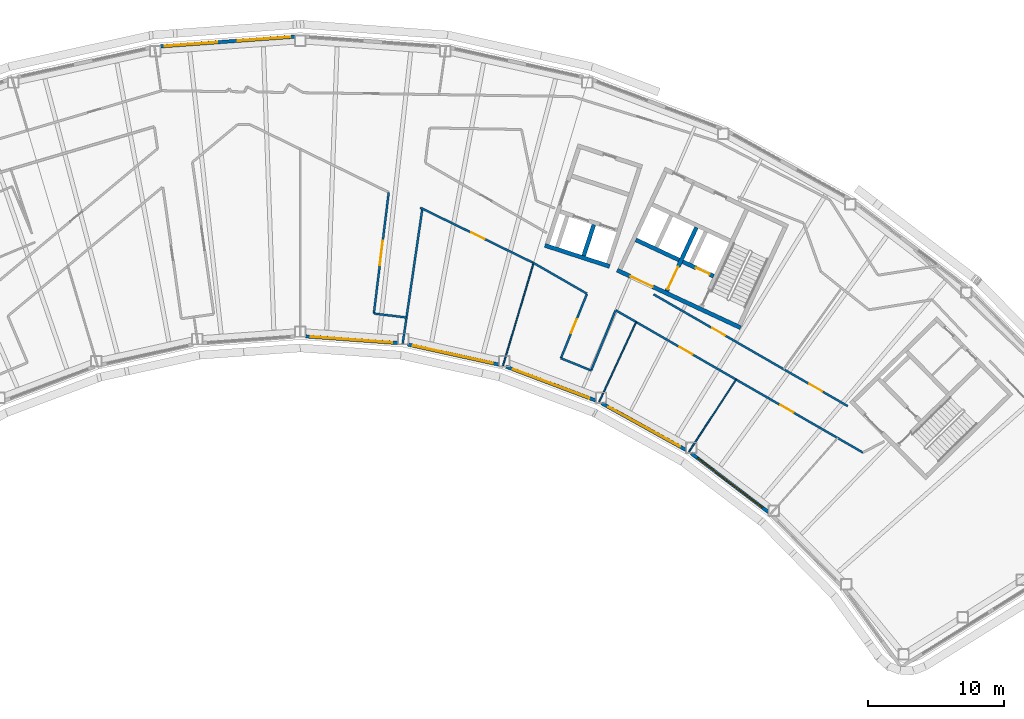
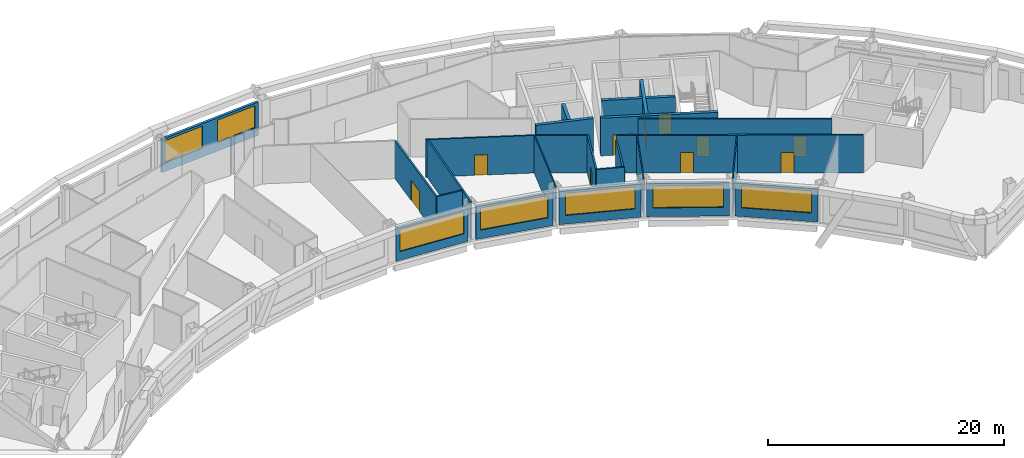
# One storey, part 8 of 14: 25 walls, 10 doors, 7 windows, 17 openings.
"""IFC4 building model written with IfcOpenShell, lengths in metres."""

import ifcopenshell
import ifcopenshell.guid

model = None  # the IFC model being written
_history = None  # IfcOwnerHistory: only IFC2X3 demands one
_inside = {}  # id of a spatial element -> (the spatial element, [elements in it])
_under = {}  # id of a project, library or spatial element -> (it, [spatial elements below it])
_declared = {}  # id of a project -> (the project, [libraries it declares])
_typed = {}  # id of a type object -> (the type object, [elements of that type])
_made_of = {}  # id of a material, layer set ... -> (it, [elements and type objects made of it])


def new_model(schema):
    """Start an empty IFC model of exactly this schema.

    Asked for "IFC4X3", IfcOpenShell would pick the latest addendum, in which some entities
    have other attributes; the version numbers below select the first issue.
    IFC2X3 requires an IfcOwnerHistory on every rooted entity: one is made here for all.
    """
    global model, _history
    if schema == "IFC4X3":
        model = ifcopenshell.file(schema_version=(4, 3, 0, 0))
    else:
        model = ifcopenshell.file(schema=schema)
    _inside.clear()
    _under.clear()
    _declared.clear()
    _typed.clear()
    _made_of.clear()
    _history = None
    if model.schema == "IFC2X3":
        org = make("IfcOrganization", Name="unknown")
        user = make(
            "IfcPersonAndOrganization",
            ThePerson=make("IfcPerson", FamilyName="unknown"),
            TheOrganization=org,
        )
        app = make(
            "IfcApplication",
            ApplicationDeveloper=org,
            Version="unknown",
            ApplicationFullName="unknown",
            ApplicationIdentifier="unknown",
        )
        _history = make(
            "IfcOwnerHistory",
            OwningUser=user,
            OwningApplication=app,
            ChangeAction="ADDED",
            CreationDate=0,
        )
    return model


def make(cls, **values):
    """One entity of the class cls with the attributes given. An attribute that is None is left unset."""
    return model.create_entity(
        cls, **{name: value for name, value in values.items() if value is not None}
    )


def rooted(cls, **values):
    """An entity with a GlobalId (a new one), such as an element, a storey or a relation."""
    return make(cls, GlobalId=ifcopenshell.guid.new(), OwnerHistory=_history, **values)


def si_unit(unit_type, name, prefix=None):
    """IfcSIUnit, for example si_unit("LENGTHUNIT", "METRE", prefix="MILLI")."""
    return make("IfcSIUnit", UnitType=unit_type, Prefix=prefix, Name=name)


def assignment(units):
    """IfcUnitAssignment: the units of a project."""
    return None if units is None else make("IfcUnitAssignment", Units=units)


def point(xyz):
    """IfcCartesianPoint."""
    return None if xyz is None else make("IfcCartesianPoint", Coordinates=xyz)


def direction(xyz):
    """IfcDirection."""
    return None if xyz is None else make("IfcDirection", DirectionRatios=xyz)


def frame(location, z_axis=None, x_axis=None):
    """IfcAxis2Placement3D, a coordinate frame: its origin and axes. An axis left out is left unset."""
    return make(
        "IfcAxis2Placement3D",
        Location=point(location),
        Axis=direction(z_axis),
        RefDirection=direction(x_axis),
    )


def frame_2d(location, x_axis=None):
    """IfcAxis2Placement2D, a coordinate frame in the plane: its origin and x axis."""
    return make(
        "IfcAxis2Placement2D", Location=point(location), RefDirection=direction(x_axis)
    )


def origin():
    """The frame at (0, 0, 0) with its axes left unset."""
    return frame((0.0, 0.0, 0.0))


def place(relative_to, where):
    """IfcLocalPlacement: puts the frame where relative to a parent placement (None: the world)."""
    return make(
        "IfcLocalPlacement", PlacementRelTo=relative_to, RelativePlacement=where
    )


def context(
    kind, dimensions, precision=None, world=None, true_north=None, identifier=None
):
    """IfcGeometricRepresentationContext, for example the 3D "Model" context."""
    return make(
        "IfcGeometricRepresentationContext",
        ContextIdentifier=identifier,
        ContextType=kind,
        CoordinateSpaceDimension=dimensions,
        Precision=precision,
        WorldCoordinateSystem=world,
        TrueNorth=true_north,
    )


def subcontext(parent, identifier, kind, view, scale=None):
    """IfcGeometricRepresentationSubContext, for example "Body" below "Model"."""
    return make(
        "IfcGeometricRepresentationSubContext",
        ContextIdentifier=identifier,
        ContextType=kind,
        ParentContext=parent,
        TargetScale=scale,
        TargetView=view,
    )


def project(units=None, contexts=None):
    """IfcProject with its units and contexts."""
    return rooted(
        "IfcProject",
        Name="project",
        RepresentationContexts=contexts,
        UnitsInContext=assignment(units),
    )


def spatial(cls, under=None, at=None, **own):
    """A site, building, storey or space (cls), placed at a placement, below another one or the project."""
    s = rooted(cls, ObjectPlacement=at, **own)
    if under is not None:
        _under.setdefault(under.id(), (under, []))[1].append(s)
    return s


def profile(cls, at=None, kind="AREA", **sizes):
    """A parametric profile (cls). Its sizes go by their IFC names, for example OverallWidth=200.0."""
    return make(cls, ProfileType=kind, Position=at, **sizes)


def rectangle(**sizes):
    """IfcRectangleProfileDef."""
    return profile("IfcRectangleProfileDef", **sizes)


def extrude(swept, where, along, depth):
    """IfcExtrudedAreaSolid: the profile swept, set in the frame where, extruded along a direction by depth."""
    return make(
        "IfcExtrudedAreaSolid",
        SweptArea=swept,
        Position=where,
        ExtrudedDirection=direction(along),
        Depth=depth,
    )


def shape(context_of_items, identifier, shape_type, items):
    """IfcShapeRepresentation: the items that make up one representation, for example the "Body"."""
    return make(
        "IfcShapeRepresentation",
        ContextOfItems=context_of_items,
        RepresentationIdentifier=identifier,
        RepresentationType=shape_type,
        Items=items,
    )


def material(Name=None, Category=None):
    """IfcMaterial."""
    return make("IfcMaterial", Name=Name, Category=Category)


def layer(
    of_material, thickness, ventilated=None, Name=None, Category=None, Priority=None
):
    """IfcMaterialLayer: one layer of a wall or slab, of a material (None: an air gap)."""
    return make(
        "IfcMaterialLayer",
        Material=of_material,
        LayerThickness=thickness,
        IsVentilated=ventilated,
        Name=Name,
        Category=Category,
        Priority=Priority,
    )


def layer_set(layers, Name=None):
    """IfcMaterialLayerSet."""
    return make("IfcMaterialLayerSet", MaterialLayers=layers, LayerSetName=Name)


def made_of(thing, what):
    """Note that an element or type object is made of a material, layer set ...; save() writes the relation."""
    if what is not None:
        _made_of.setdefault(what.id(), (what, []))[1].append(thing)
    return thing


def type_object(cls, material=None, **own):
    """A type object (cls), such as IfcWallType, which elements share."""
    return made_of(rooted(cls, **own), material)


def element(
    cls,
    number,
    at=None,
    inside=None,
    cuts=None,
    type_object=None,
    material=None,
    context=None,
    identifier="Body",
    shape_type=None,
    held_by="IfcProductDefinitionShape",
    body=None,
    shapes=None,
    **own,
):
    """One element of the class cls, such as IfcWall. Its Tag is "e" and its number.

    at: its placement. inside: the storey or other place that contains it. cuts: it is an
    opening in that element (IfcRelVoidsElement). A single representation is given by context,
    identifier, shape_type and body (its items); several are given by shapes. held_by: the class
    of the entity that holds the representations. save() writes the other relations.
    """
    e = rooted(cls, Tag="e%d" % number, ObjectPlacement=at, **own)
    if body is not None:
        shapes = [shape(context, identifier, shape_type, body)]
    if shapes is not None:
        e.Representation = make(held_by, Representations=shapes)
    if inside is not None:
        _inside.setdefault(inside.id(), (inside, []))[1].append(e)
    if cuts is not None:
        rooted(
            "IfcRelVoidsElement", RelatingBuildingElement=cuts, RelatedOpeningElement=e
        )
    if type_object is not None:
        _typed.setdefault(type_object.id(), (type_object, []))[1].append(e)
    return made_of(e, material)


def fill(opening, filler):
    """IfcRelFillsElement: the door or window that sits in an opening."""
    return rooted(
        "IfcRelFillsElement",
        RelatingOpeningElement=opening,
        RelatedBuildingElement=filler,
    )


def aggregate(whole, parts):
    """IfcRelAggregates: a whole, such as a stair, and the parts it consists of."""
    return rooted("IfcRelAggregates", RelatingObject=whole, RelatedObjects=parts)


def save(model, path):
    """Write the relations noted so far, then the file.

    IfcRelAggregates (storeys below a building ...), IfcRelContainedInSpatialStructure (elements
    in a storey), IfcRelDefinesByType, IfcRelAssociatesMaterial and IfcRelDeclares: one each for
    every whole, place, type object, material and project.
    """
    for whole, parts in _under.values():
        aggregate(whole, parts)
    for where, things in _inside.values():
        rooted(
            "IfcRelContainedInSpatialStructure",
            RelatedElements=things,
            RelatingStructure=where,
        )
    for kind, things in _typed.values():
        rooted("IfcRelDefinesByType", RelatedObjects=things, RelatingType=kind)
    for what, things in _made_of.values():
        rooted("IfcRelAssociatesMaterial", RelatedObjects=things, RelatingMaterial=what)
    for by, libraries in _declared.values():
        rooted("IfcRelDeclares", RelatingContext=by, RelatedDefinitions=libraries)
    model.write(path)


model = new_model("IFC4")

# Units and contexts
model_context = context("Model", 3, precision=1e-05, world=origin(), true_north=direction((0.0, 1.0)))
body_context = subcontext(model_context, "Body", "Model", "MODEL_VIEW")
ifc_project = project(units=[si_unit("LENGTHUNIT", "METRE"), si_unit("AREAUNIT", "SQUARE_METRE"), si_unit("VOLUMEUNIT", "CUBIC_METRE"), si_unit("PLANEANGLEUNIT", "RADIAN"), si_unit("MASSUNIT", "GRAM", prefix="KILO")], contexts=[model_context])

# Site, building, storey
site_placement = place(None, origin())
site = spatial("IfcSite", under=ifc_project, at=site_placement, CompositionType="ELEMENT")
building_placement = place(site_placement, origin())
building = spatial("IfcBuilding", under=site, at=building_placement, Name="Tuul Gate Civic Tower", CompositionType="ELEMENT")
storey_placement = place(building_placement, frame((0.0, 0.0, 323.89990234375)))
storey = spatial("IfcBuildingStorey", under=building, at=storey_placement, Name="Level 73", CompositionType="ELEMENT", Elevation=323.89990234375)

# Wall, opening, door
ifc_material_1 = material(Name="Concrete C50/60", Category="concrete")
ifc_layer_1 = layer(ifc_material_1, 0.300048828125)
ifc_layer_set_1 = layer_set([ifc_layer_1], Name="Concrete C50/60")
wall_type_1 = type_object("IfcWallType", Name="Core wall C50/60", PredefinedType="SHEAR", material=ifc_layer_set_1)
wall_1_placement = place(storey_placement, frame((34.5283203125, -7.25, 0.0), z_axis=(0.0, 0.0, 1.0), x_axis=(-0.906310338845, 0.422612789327, 0.0)))
wall_1 = element("IfcWall", 1, at=wall_1_placement, inside=storey, type_object=wall_type_1, Name="Core wall", PredefinedType="SHEAR", context=body_context, shape_type="SweptSolid", body=[
    extrude(rectangle(XDim=9.999755859375, YDim=0.300048828125, at=frame_2d((5.0, 0.0))), origin(), (0.0, 0.0, 1.0), 3.900146484375),
])
opening_1_placement = place(wall_1_placement, frame((7.125, 0.0, 0.0)))
opening_1 = element("IfcOpeningElement", 2, at=opening_1_placement, cuts=wall_1, Name="Opening LB-E3-LOBBY-1", PredefinedType="OPENING", context=body_context, shape_type="SweptSolid", body=[
    extrude(rectangle(XDim=1.800048828125, YDim=2.10009765625, at=frame_2d((0.89990234375, 1.050048828125))), frame((0.0, 0.16015625, 0.0), z_axis=(0.0, -1.0, 0.0), x_axis=(1.0, 0.0, 0.0)), (0.0, 0.0, 1.0), 0.320068359375),
])
ifc_material_2 = material(Name="Steel", Category="steel")
door_type_1 = type_object("IfcDoorType", Name="Lobby door", OperationType="DOUBLE_DOOR_SINGLE_SWING", PredefinedType="DOOR", material=ifc_material_2)
door_1_placement = place(opening_1_placement, frame((1.800048828125, 0.0, 0.0), z_axis=(0.0, 0.0, 1.0), x_axis=(-1.0, 0.0, 0.0)))
door_1 = element("IfcDoor", 3, at=door_1_placement, inside=storey, type_object=door_type_1, Name="Lobby door E3-LOBBY", OperationType="DOUBLE_DOOR_SINGLE_SWING", OverallHeight=2.10009765625, OverallWidth=1.800048828125, PredefinedType="DOOR", context=body_context, shape_type="SweptSolid", body=[
    extrude(rectangle(XDim=1.800048828125, YDim=2.10009765625, at=frame_2d((0.900146484375, 1.050048828125))), frame((0.0, 0.02490234375, 0.0), z_axis=(0.0, -1.0, 0.0), x_axis=(1.0, 0.0, 0.0)), (0.0, 0.0, 1.0), 0.050048828125),
])
fill(opening_1, door_1)

wall_2_placement = place(storey_placement, frame((32.545654296875, -3.456787109375, 0.0), z_axis=(0.0, 0.0, 1.0), x_axis=(-0.906300357825, 0.42263419337, 0.0)))
wall_2 = element("IfcWall", 4, at=wall_2_placement, inside=storey, type_object=wall_type_1, Name="Core wall", PredefinedType="SHEAR", context=body_context, shape_type="SweptSolid", body=[
    extrude(rectangle(XDim=2.500244140625, YDim=0.300048828125, at=frame_2d((1.25, 0.0))), origin(), (0.0, 0.0, 1.0), 3.900146484375),
])
opening_2_placement = place(wall_2_placement, frame((0.324951171875, 0.0, 0.0)))
opening_2 = element("IfcOpeningElement", 5, at=opening_2_placement, cuts=wall_2, Name="Opening LD-FF-2", PredefinedType="OPENING", context=body_context, shape_type="SweptSolid", body=[
    extrude(rectangle(XDim=1.10009765625, YDim=2.10009765625, at=frame_2d((0.550048828125, 1.050048828125))), frame((0.0, 0.16015625, 0.0), z_axis=(0.0, -1.0, 0.0), x_axis=(1.0, 0.0, 0.0)), (0.0, 0.0, 1.0), 0.320068359375),
])
ifc_material_3 = material(Name="Stainless steel", Category="steel")
door_type_2 = type_object("IfcDoorType", Name="Landing door", OperationType="DOUBLE_DOOR_SLIDING", PredefinedType="DOOR", material=ifc_material_3)
door_2_placement = place(opening_2_placement, origin())
door_2 = element("IfcDoor", 6, at=door_2_placement, inside=storey, type_object=door_type_2, Name="Fire-fighting lift FF-2 landing door", OperationType="DOUBLE_DOOR_SLIDING", OverallHeight=2.10009765625, OverallWidth=1.10009765625, PredefinedType="DOOR", context=body_context, shape_type="SweptSolid", body=[
    extrude(rectangle(XDim=1.10009765625, YDim=2.10009765625, at=frame_2d((0.550048828125, 1.050048828125))), frame((0.0, 0.02490234375, 0.0), z_axis=(0.0, -1.0, 0.0), x_axis=(1.0, 0.0, 0.0)), (0.0, 0.0, 1.0), 0.050048828125),
])
fill(opening_2, door_2)

# Wall
wall_3_placement = place(storey_placement, frame((30.0078125, -2.2734375, 0.0), z_axis=(0.0, 0.0, 1.0), x_axis=(-0.90630071767, 0.422633421716, 0.0)))
element("IfcWall", 7, at=wall_3_placement, inside=storey, type_object=wall_type_1, Name="Core wall", PredefinedType="SHEAR", context=body_context, shape_type="SweptSolid", body=[
    extrude(rectangle(XDim=3.5, YDim=0.300048828125, at=frame_2d((1.75, 0.0))), origin(), (0.0, 0.0, 1.0), 3.900146484375),
])

# Wall, opening, door
wall_4_placement = place(storey_placement, frame((29.108642578125, -4.557373046875, 0.0), z_axis=(0.0, 0.0, 1.0), x_axis=(0.422566235356, 0.90633204552, 0.0)))
wall_4 = element("IfcWall", 8, at=wall_4_placement, inside=storey, type_object=wall_type_1, Name="Core wall", PredefinedType="SHEAR", context=body_context, shape_type="SweptSolid", body=[
    extrude(rectangle(XDim=5.150146484375, YDim=0.300048828125, at=frame_2d((2.5751953125, 0.0))), origin(), (0.0, 0.0, 1.0), 3.900146484375),
])
opening_3_placement = place(wall_4_placement, frame((0.175048828125, 0.0, 0.0)))
opening_3 = element("IfcOpeningElement", 9, at=opening_3_placement, cuts=wall_4, Name="Opening LB-E3-FLOBBY-1", PredefinedType="OPENING", context=body_context, shape_type="SweptSolid", body=[
    extrude(rectangle(XDim=1.800048828125, YDim=2.10009765625, at=frame_2d((0.89990234375, 1.050048828125))), frame((0.0, 0.16015625, 0.0), z_axis=(0.0, -1.0, 0.0), x_axis=(1.0, 0.0, 0.0)), (0.0, 0.0, 1.0), 0.320068359375),
])
door_3_placement = place(opening_3_placement, frame((1.800048828125, 0.0, 0.0), z_axis=(0.0, 0.0, 1.0), x_axis=(-1.0, 0.0, 0.0)))
door_3 = element("IfcDoor", 10, at=door_3_placement, inside=storey, type_object=door_type_1, Name="Lobby door E3-FLOBBY", OperationType="DOUBLE_DOOR_SINGLE_SWING", OverallHeight=2.10009765625, OverallWidth=1.800048828125, PredefinedType="DOOR", context=body_context, shape_type="SweptSolid", body=[
    extrude(rectangle(XDim=1.800048828125, YDim=2.10009765625, at=frame_2d((0.900146484375, 1.050048828125))), frame((0.0, 0.02490234375, 0.0), z_axis=(0.0, -1.0, 0.0), x_axis=(1.0, 0.0, 0.0)), (0.0, 0.0, 1.0), 0.050048828125),
])
fill(opening_3, door_3)

# Wall
ifc_material_4 = material(Name="Gypsum board partition")
ifc_layer_2 = layer(ifc_material_4, 0.14990234375)
ifc_layer_set_2 = layer_set([ifc_layer_2], Name="Gypsum board partition")
wall_type_2 = type_object("IfcWallType", Name="Corridor wall P150", PredefinedType="PARTITIONING", material=ifc_layer_set_2)
wall_5_placement = place(storey_placement, frame((9.716064453125, -8.40380859375, 0.0), z_axis=(0.0, 0.0, 1.0), x_axis=(0.144210122219, 0.989547088647, 0.0)))
element("IfcWall", 11, at=wall_5_placement, inside=storey, type_object=wall_type_2, Name="p018", PredefinedType="PARTITIONING", context=body_context, shape_type="SweptSolid", body=[
    extrude(rectangle(XDim=10.035888671875, YDim=0.14990234375, at=frame_2d((5.01806640625, 0.0))), origin(), (0.0, 0.0, 1.0), 3.900146484375),
])

# Wall, openings, doors
wall_6_placement = place(storey_placement, frame((28.141845703125, -4.799072265625, 0.0), z_axis=(0.0, 0.0, 1.0), x_axis=(0.866677316587, -0.498869150092, 0.0)))
wall_6 = element("IfcWall", 12, at=wall_6_placement, inside=storey, type_object=wall_type_2, Name="p023", PredefinedType="PARTITIONING", context=body_context, shape_type="SweptSolid", body=[
    extrude(rectangle(XDim=16.44287109375, YDim=0.14990234375, at=frame_2d((8.221435546875, 0.0))), origin(), (0.0, 0.0, 1.0), 3.900146484375),
])
opening_4_placement = place(wall_6_placement, frame((13.1826171875, 0.0, 0.0)))
opening_4 = element("IfcOpeningElement", 13, at=opening_4_placement, cuts=wall_6, Name="Opening AA-D20", PredefinedType="OPENING", context=body_context, shape_type="SweptSolid", body=[
    extrude(rectangle(XDim=1.10009765625, YDim=2.10009765625, at=frame_2d((0.550048828125, 1.050048828125))), frame((0.0, 0.0849609375, 0.0), z_axis=(0.0, -1.0, 0.0), x_axis=(1.0, 0.0, 0.0)), (0.0, 0.0, 1.0), 0.169921875),
])
opening_5_placement = place(wall_6_placement, frame((4.961181640625, 0.0, 0.0)))
opening_5 = element("IfcOpeningElement", 14, at=opening_5_placement, cuts=wall_6, Name="Opening AA-D21", PredefinedType="OPENING", context=body_context, shape_type="SweptSolid", body=[
    extrude(rectangle(XDim=1.10009765625, YDim=2.10009765625, at=frame_2d((0.550048828125, 1.050048828125))), frame((0.0, 0.0849609375, 0.0), z_axis=(0.0, -1.0, 0.0), x_axis=(1.0, 0.0, 0.0)), (0.0, 0.0, 1.0), 0.169921875),
])
ifc_material_5 = material(Name="Timber door leaf", Category="wood")
door_type_3 = type_object("IfcDoorType", Name="Door D11", OperationType="NOTDEFINED", PredefinedType="DOOR", material=ifc_material_5)
door_4_placement = place(opening_4_placement, origin())
door_4 = element("IfcDoor", 15, at=door_4_placement, inside=storey, type_object=door_type_3, Name="Door AA-D20", OperationType="SINGLE_SWING_RIGHT", OverallHeight=2.10009765625, OverallWidth=1.10009765625, PredefinedType="DOOR", context=body_context, shape_type="SweptSolid", body=[
    extrude(rectangle(XDim=1.10009765625, YDim=2.10009765625, at=frame_2d((0.550048828125, 1.050048828125))), frame((0.0, 0.02490234375, 0.0), z_axis=(0.0, -1.0, 0.0), x_axis=(1.0, 0.0, 0.0)), (0.0, 0.0, 1.0), 0.050048828125),
])
fill(opening_4, door_4)
door_5_placement = place(opening_5_placement, frame((1.10009765625, 0.0, 0.0), z_axis=(0.0, 0.0, 1.0), x_axis=(-1.0, 0.0, 0.0)))
door_5 = element("IfcDoor", 16, at=door_5_placement, inside=storey, type_object=door_type_3, Name="Door AA-D21", OperationType="SINGLE_SWING_LEFT", OverallHeight=2.10009765625, OverallWidth=1.10009765625, PredefinedType="DOOR", context=body_context, shape_type="SweptSolid", body=[
    extrude(rectangle(XDim=1.10009765625, YDim=2.10009765625, at=frame_2d((0.550048828125, 1.050048828125))), frame((0.0, 0.02490234375, 0.0), z_axis=(0.0, -1.0, 0.0), x_axis=(1.0, 0.0, 0.0)), (0.0, 0.0, 1.0), 0.050048828125),
])
fill(opening_5, door_5)

# Wall
wall_7_placement = place(storey_placement, frame((19.31689453125, -2.488525390625, 0.0), z_axis=(0.0, 0.0, 1.0), x_axis=(0.866682635441, -0.49885990962, 0.0)))
element("IfcWall", 17, at=wall_7_placement, inside=storey, type_object=wall_type_2, Name="p058", PredefinedType="PARTITIONING", context=body_context, shape_type="SweptSolid", body=[
    extrude(rectangle(XDim=4.51806640625, YDim=0.14990234375, at=frame_2d((2.259033203125, 0.0))), origin(), (0.0, 0.0, 1.0), 3.900146484375),
])

# Wall, openings, doors
wall_8_placement = place(storey_placement, frame((25.36865234375, -5.971923828125, 0.0), z_axis=(0.0, 0.0, 1.0), x_axis=(0.866671355213, -0.498879506548, 0.0)))
wall_8 = element("IfcWall", 18, at=wall_8_placement, inside=storey, type_object=wall_type_2, Name="p059", PredefinedType="PARTITIONING", context=body_context, shape_type="SweptSolid", body=[
    extrude(rectangle(XDim=20.93359375, YDim=0.14990234375, at=frame_2d((10.466796875, 0.0))), origin(), (0.0, 0.0, 1.0), 3.900146484375),
])
opening_6_placement = place(wall_8_placement, frame((13.94189453125, 0.0, 0.0)))
opening_6 = element("IfcOpeningElement", 19, at=opening_6_placement, cuts=wall_8, Name="Opening AA-D10", PredefinedType="OPENING", context=body_context, shape_type="SweptSolid", body=[
    extrude(rectangle(XDim=1.10009765625, YDim=2.10009765625, at=frame_2d((0.550048828125, 1.050048828125))), frame((0.0, 0.0849609375, 0.0), z_axis=(0.0, -1.0, 0.0), x_axis=(1.0, 0.0, 0.0)), (0.0, 0.0, 1.0), 0.169921875),
])
opening_7_placement = place(wall_8_placement, frame((5.402587890625, 0.0, 0.0)))
opening_7 = element("IfcOpeningElement", 20, at=opening_7_placement, cuts=wall_8, Name="Opening AA-D11", PredefinedType="OPENING", context=body_context, shape_type="SweptSolid", body=[
    extrude(rectangle(XDim=1.10009765625, YDim=2.10009765625, at=frame_2d((0.550048828125, 1.050048828125))), frame((0.0, 0.0849609375, 0.0), z_axis=(0.0, -1.0, 0.0), x_axis=(1.0, 0.0, 0.0)), (0.0, 0.0, 1.0), 0.169921875),
])
door_6_placement = place(opening_6_placement, frame((1.10009765625, 0.0, 0.0), z_axis=(0.0, 0.0, 1.0), x_axis=(-1.0, 0.0, 0.0)))
door_6 = element("IfcDoor", 21, at=door_6_placement, inside=storey, type_object=door_type_3, Name="Door AA-D10", OperationType="SINGLE_SWING_LEFT", OverallHeight=2.10009765625, OverallWidth=1.10009765625, PredefinedType="DOOR", context=body_context, shape_type="SweptSolid", body=[
    extrude(rectangle(XDim=1.10009765625, YDim=2.10009765625, at=frame_2d((0.550048828125, 1.050048828125))), frame((0.0, 0.02490234375, 0.0), z_axis=(0.0, -1.0, 0.0), x_axis=(1.0, 0.0, 0.0)), (0.0, 0.0, 1.0), 0.050048828125),
])
fill(opening_6, door_6)
door_7_placement = place(opening_7_placement, frame((1.10009765625, 0.0, 0.0), z_axis=(0.0, 0.0, 1.0), x_axis=(-1.0, 0.0, 0.0)))
door_7 = element("IfcDoor", 22, at=door_7_placement, inside=storey, type_object=door_type_3, Name="Door AA-D11", OperationType="SINGLE_SWING_LEFT", OverallHeight=2.10009765625, OverallWidth=1.10009765625, PredefinedType="DOOR", context=body_context, shape_type="SweptSolid", body=[
    extrude(rectangle(XDim=1.10009765625, YDim=2.10009765625, at=frame_2d((0.550048828125, 1.050048828125))), frame((0.0, 0.02490234375, 0.0), z_axis=(0.0, -1.0, 0.0), x_axis=(1.0, 0.0, 0.0)), (0.0, 0.0, 1.0), 0.050048828125),
])
fill(opening_7, door_7)

# Wall, opening, door
wall_9_placement = place(storey_placement, frame((21.334228515625, -9.488525390625, 0.0), z_axis=(0.0, 0.0, 1.0), x_axis=(0.374612897555, 0.927181307504, 0.0)))
wall_9 = element("IfcWall", 23, at=wall_9_placement, inside=storey, type_object=wall_type_2, Name="p066", PredefinedType="PARTITIONING", context=body_context, shape_type="SweptSolid", body=[
    extrude(rectangle(XDim=5.09130859375, YDim=0.14990234375, at=frame_2d((2.545654296875, 0.0))), origin(), (0.0, 0.0, 1.0), 3.900146484375),
])
opening_8_placement = place(wall_9_placement, frame((1.99560546875, 0.0, 0.0)))
opening_8 = element("IfcOpeningElement", 24, at=opening_8_placement, cuts=wall_9, Name="Opening AA-D12", PredefinedType="OPENING", context=body_context, shape_type="SweptSolid", body=[
    extrude(rectangle(XDim=1.10009765625, YDim=2.10009765625, at=frame_2d((0.550048828125, 1.050048828125))), frame((0.0, 0.0849609375, 0.0), z_axis=(0.0, -1.0, 0.0), x_axis=(1.0, 0.0, 0.0)), (0.0, 0.0, 1.0), 0.169921875),
])
door_8_placement = place(opening_8_placement, origin())
door_8 = element("IfcDoor", 25, at=door_8_placement, inside=storey, type_object=door_type_3, Name="Door AA-D12", OperationType="SINGLE_SWING_RIGHT", OverallHeight=2.10009765625, OverallWidth=1.10009765625, PredefinedType="DOOR", context=body_context, shape_type="SweptSolid", body=[
    extrude(rectangle(XDim=1.10009765625, YDim=2.10009765625, at=frame_2d((0.550048828125, 1.050048828125))), frame((0.0, 0.02490234375, 0.0), z_axis=(0.0, -1.0, 0.0), x_axis=(1.0, 0.0, 0.0)), (0.0, 0.0, 1.0), 0.050048828125),
])
fill(opening_8, door_8)

# Wall
wall_10_placement = place(storey_placement, frame((21.334716796875, -9.489501953125, 0.0), z_axis=(0.0, 0.0, 1.0), x_axis=(0.927158217731, -0.374670040561, 0.0)))
element("IfcWall", 26, at=wall_10_placement, inside=storey, type_object=wall_type_2, Name="p067", PredefinedType="PARTITIONING", context=body_context, shape_type="SweptSolid", body=[
    extrude(rectangle(XDim=2.398681640625, YDim=0.14990234375, at=frame_2d((1.19921875, 0.0))), origin(), (0.0, 0.0, 1.0), 3.900146484375),
])

# Wall, opening, door
wall_11_placement = place(storey_placement, frame((10.996826171875, 1.571533203125, 0.0), z_axis=(0.0, 0.0, 1.0), x_axis=(0.898711146647, -0.438541075491, 0.0)))
wall_11 = element("IfcWall", 27, at=wall_11_placement, inside=storey, type_object=wall_type_2, Name="p070", PredefinedType="PARTITIONING", context=body_context, shape_type="SweptSolid", body=[
    extrude(rectangle(XDim=9.255859375, YDim=0.14990234375, at=frame_2d((4.6279296875, 0.0))), origin(), (0.0, 0.0, 1.0), 3.900146484375),
])
opening_9_placement = place(wall_11_placement, frame((4.167236328125, 0.0, 0.0)))
opening_9 = element("IfcOpeningElement", 28, at=opening_9_placement, cuts=wall_11, Name="Opening AA-D13", PredefinedType="OPENING", context=body_context, shape_type="SweptSolid", body=[
    extrude(rectangle(XDim=1.10009765625, YDim=2.10009765625, at=frame_2d((0.550048828125, 1.050048828125))), frame((0.0, 0.0849609375, 0.0), z_axis=(0.0, -1.0, 0.0), x_axis=(1.0, 0.0, 0.0)), (0.0, 0.0, 1.0), 0.169921875),
])
door_9_placement = place(opening_9_placement, frame((1.10009765625, 0.0, 0.0), z_axis=(0.0, 0.0, 1.0), x_axis=(-1.0, 0.0, 0.0)))
door_9 = element("IfcDoor", 29, at=door_9_placement, inside=storey, type_object=door_type_3, Name="Door AA-D13", OperationType="SINGLE_SWING_LEFT", OverallHeight=2.10009765625, OverallWidth=1.10009765625, PredefinedType="DOOR", context=body_context, shape_type="SweptSolid", body=[
    extrude(rectangle(XDim=1.10009765625, YDim=2.10009765625, at=frame_2d((0.550048828125, 1.050048828125))), frame((0.0, 0.02490234375, 0.0), z_axis=(0.0, -1.0, 0.0), x_axis=(1.0, 0.0, 0.0)), (0.0, 0.0, 1.0), 0.050048828125),
])
fill(opening_9, door_9)

wall_12_placement = place(storey_placement, frame((7.596923828125, -6.20458984375, 0.0), z_axis=(0.0, 0.0, 1.0), x_axis=(0.121853130257, 0.992548142231, 0.0)))
wall_12 = element("IfcWall", 30, at=wall_12_placement, inside=storey, type_object=wall_type_2, Name="p072", PredefinedType="PARTITIONING", context=body_context, shape_type="SweptSolid", body=[
    extrude(rectangle(XDim=8.953857421875, YDim=0.14990234375, at=frame_2d((4.47705078125, 0.0))), origin(), (0.0, 0.0, 1.0), 3.900146484375),
])
opening_10_placement = place(wall_12_placement, frame((3.576904296875, 0.0, 0.0)))
opening_10 = element("IfcOpeningElement", 31, at=opening_10_placement, cuts=wall_12, Name="Opening AA-D14", PredefinedType="OPENING", context=body_context, shape_type="SweptSolid", body=[
    extrude(rectangle(XDim=1.800048828125, YDim=2.10009765625, at=frame_2d((0.89990234375, 1.050048828125))), frame((0.0, 0.0849609375, 0.0), z_axis=(0.0, -1.0, 0.0), x_axis=(1.0, 0.0, 0.0)), (0.0, 0.0, 1.0), 0.169921875),
])
ifc_material_6 = material(Name="Timber door leaf, double", Category="wood")
door_type_4 = type_object("IfcDoorType", Name="Door D18", OperationType="DOUBLE_DOOR_SINGLE_SWING", PredefinedType="DOOR", material=ifc_material_6)
door_10_placement = place(opening_10_placement, origin())
door_10 = element("IfcDoor", 32, at=door_10_placement, inside=storey, type_object=door_type_4, Name="Door AA-D14", OperationType="DOUBLE_DOOR_SINGLE_SWING", OverallHeight=2.10009765625, OverallWidth=1.800048828125, PredefinedType="DOOR", context=body_context, shape_type="SweptSolid", body=[
    extrude(rectangle(XDim=1.800048828125, YDim=2.10009765625, at=frame_2d((0.89990234375, 1.050048828125))), frame((0.0, 0.02490234375, 0.0), z_axis=(0.0, -1.0, 0.0), x_axis=(1.0, 0.0, 0.0)), (0.0, 0.0, 1.0), 0.050048828125),
])
fill(opening_10, door_10)

# Walls
wall_13_placement = place(storey_placement, frame((7.59765625, -6.205322265625, 0.0), z_axis=(0.0, 0.0, 1.0), x_axis=(0.992537188649, -0.121942318942, 0.0)))
element("IfcWall", 33, at=wall_13_placement, inside=storey, type_object=wall_type_2, Name="p073", PredefinedType="PARTITIONING", context=body_context, shape_type="SweptSolid", body=[
    extrude(rectangle(XDim=2.3984375, YDim=0.14990234375, at=frame_2d((1.19921875, 0.0))), origin(), (0.0, 0.0, 1.0), 3.900146484375),
])
ifc_material_7 = material(Name="Gypsum board partition")
ifc_layer_3 = layer(ifc_material_7, 0.14990234375)
ifc_layer_set_3 = layer_set([ifc_layer_3], Name="Gypsum board partition")
wall_type_3 = type_object("IfcWallType", Name="Corridor wall P150 3400 HIGH", PredefinedType="PARTITIONING", material=ifc_layer_set_3)
wall_14_placement = place(storey_placement, frame((23.5595703125, -10.3876953125, 0.0), z_axis=(0.0, 0.0, 1.0), x_axis=(0.374604063796, 0.927184876596, 0.0)))
element("IfcWall", 34, at=wall_14_placement, inside=storey, type_object=wall_type_3, Name="p068", PredefinedType="PARTITIONING", context=body_context, shape_type="SweptSolid", body=[
    extrude(rectangle(XDim=4.751708984375, YDim=0.14990234375, at=frame_2d((2.3759765625, 0.0))), origin(), (0.0, 0.0, 1.0), 3.400146484375),
])

# Wall, openings, windows
ifc_material_8 = material(Name="Precast concrete C40/50", Category="concrete")
ifc_layer_4 = layer(ifc_material_8, 0.25)
ifc_layer_set_4 = layer_set([ifc_layer_4], Name="Precast concrete C40/50")
wall_type_4 = type_object("IfcWallType", Name="External wall", PredefinedType="STANDARD", material=ifc_layer_set_4)
wall_15_placement = place(storey_placement, frame((1.7919921875, 14.124755859375, 0.0), z_axis=(0.0, 0.0, 1.0), x_axis=(-0.997387042659, -0.072243249762, 0.0)))
wall_15 = element("IfcWall", 35, at=wall_15_placement, inside=storey, type_object=wall_type_4, Name="External wall", PredefinedType="STANDARD", context=body_context, shape_type="SweptSolid", body=[
    extrude(rectangle(XDim=9.874755859375, YDim=0.25, at=frame_2d((4.9375, 0.0))), origin(), (0.0, 0.0, 1.0), 3.4501953125),
])
opening_11_placement = place(wall_15_placement, frame((0.350341796875, 0.0, 0.89990234375)))
opening_11 = element("IfcOpeningElement", 36, at=opening_11_placement, cuts=wall_15, Name="Opening W22", PredefinedType="OPENING", context=body_context, shape_type="SweptSolid", body=[
    extrude(rectangle(XDim=3.85009765625, YDim=2.300048828125, at=frame_2d((1.925048828125, 1.14990234375))), frame((0.0, 0.135009765625, 0.0), z_axis=(0.0, -1.0, 0.0), x_axis=(1.0, 0.0, 0.0)), (0.0, 0.0, 1.0), 0.27001953125),
])
opening_12_placement = place(wall_15_placement, frame((5.721435546875, 0.0, 0.89990234375)))
opening_12 = element("IfcOpeningElement", 37, at=opening_12_placement, cuts=wall_15, Name="Opening W22", PredefinedType="OPENING", context=body_context, shape_type="SweptSolid", body=[
    extrude(rectangle(XDim=3.85009765625, YDim=2.300048828125, at=frame_2d((1.925048828125, 1.14990234375))), frame((0.0, 0.135009765625, 0.0), z_axis=(0.0, -1.0, 0.0), x_axis=(1.0, 0.0, 0.0)), (0.0, 0.0, 1.0), 0.27001953125),
])
ifc_material_9 = material(Name="Glass", Category="glass")
window_type_1 = type_object("IfcWindowType", Name="Window W22 3850 x 2300", PartitioningType="SINGLE_PANEL", PredefinedType="WINDOW", material=ifc_material_9)
window_1_placement = place(opening_11_placement, origin())
window_1 = element("IfcWindow", 38, at=window_1_placement, inside=storey, type_object=window_type_1, Name="Window", OverallHeight=2.300048828125, OverallWidth=3.85009765625, PartitioningType="SINGLE_PANEL", PredefinedType="WINDOW", context=body_context, shape_type="SweptSolid", body=[
    extrude(rectangle(XDim=3.85009765625, YDim=2.300048828125, at=frame_2d((1.925048828125, 1.14990234375))), frame((0.0, 0.030029296875, 0.0), z_axis=(0.0, -1.0, 0.0), x_axis=(1.0, 0.0, 0.0)), (0.0, 0.0, 1.0), 0.06005859375),
])
fill(opening_11, window_1)
window_2_placement = place(opening_12_placement, origin())
window_2 = element("IfcWindow", 39, at=window_2_placement, inside=storey, type_object=window_type_1, Name="Window", OverallHeight=2.300048828125, OverallWidth=3.85009765625, PartitioningType="SINGLE_PANEL", PredefinedType="WINDOW", context=body_context, shape_type="SweptSolid", body=[
    extrude(rectangle(XDim=3.85009765625, YDim=2.300048828125, at=frame_2d((1.925048828125, 1.14990234375))), frame((0.0, 0.030029296875, 0.0), z_axis=(0.0, -1.0, 0.0), x_axis=(1.0, 0.0, 0.0)), (0.0, 0.0, 1.0), 0.06005859375),
])
fill(opening_12, window_2)

# Wall, opening, window
wall_16_placement = place(storey_placement, frame((2.592041015625, -7.882568359375, 0.0), z_axis=(0.0, 0.0, 1.0), x_axis=(0.997384795983, -0.072274260578, 0.0)))
wall_16 = element("IfcWall", 40, at=wall_16_placement, inside=storey, type_object=wall_type_4, Name="External wall", PredefinedType="STANDARD", context=body_context, shape_type="SweptSolid", body=[
    extrude(rectangle(XDim=6.789794921875, YDim=0.25, at=frame_2d((3.39501953125, 0.0))), origin(), (0.0, 0.0, 1.0), 3.4501953125),
])
opening_13_placement = place(wall_16_placement, frame((0.371337890625, 0.0, 0.89990234375)))
opening_13 = element("IfcOpeningElement", 41, at=opening_13_placement, cuts=wall_16, Name="Opening W26", PredefinedType="OPENING", context=body_context, shape_type="SweptSolid", body=[
    extrude(rectangle(XDim=6.0, YDim=2.300048828125, at=frame_2d((3.0, 1.14990234375))), frame((0.0, 0.135009765625, 0.0), z_axis=(0.0, -1.0, 0.0), x_axis=(1.0, 0.0, 0.0)), (0.0, 0.0, 1.0), 0.27001953125),
])
ifc_material_10 = material(Name="Glass", Category="glass")
window_type_2 = type_object("IfcWindowType", Name="Window W26 6000 x 2300", PartitioningType="SINGLE_PANEL", PredefinedType="WINDOW", material=ifc_material_10)
window_3_placement = place(opening_13_placement, origin())
window_3 = element("IfcWindow", 42, at=window_3_placement, inside=storey, type_object=window_type_2, Name="Window", OverallHeight=2.300048828125, OverallWidth=6.0, PartitioningType="SINGLE_PANEL", PredefinedType="WINDOW", context=body_context, shape_type="SweptSolid", body=[
    extrude(rectangle(XDim=6.0, YDim=2.300048828125, at=frame_2d((3.0, 1.14990234375))), frame((0.0, 0.030029296875, 0.0), z_axis=(0.0, -1.0, 0.0), x_axis=(1.0, 0.0, 0.0)), (0.0, 0.0, 1.0), 0.06005859375),
])
fill(opening_13, window_3)

wall_17_placement = place(storey_placement, frame((10.071044921875, -8.47705078125, 0.0), z_axis=(0.0, 0.0, 1.0), x_axis=(0.976561146318, -0.215240162382, 0.0)))
wall_17 = element("IfcWall", 43, at=wall_17_placement, inside=storey, type_object=wall_type_4, Name="External wall", PredefinedType="STANDARD", context=body_context, shape_type="SweptSolid", body=[
    extrude(rectangle(XDim=6.867919921875, YDim=0.25, at=frame_2d((3.43408203125, 0.0))), origin(), (0.0, 0.0, 1.0), 3.4501953125),
])
opening_14_placement = place(wall_17_placement, frame((0.409912109375, 0.0, 0.89990234375)))
opening_14 = element("IfcOpeningElement", 44, at=opening_14_placement, cuts=wall_17, Name="Opening W26", PredefinedType="OPENING", context=body_context, shape_type="SweptSolid", body=[
    extrude(rectangle(XDim=6.0, YDim=2.300048828125, at=frame_2d((3.0, 1.14990234375))), frame((0.0, 0.135009765625, 0.0), z_axis=(0.0, -1.0, 0.0), x_axis=(1.0, 0.0, 0.0)), (0.0, 0.0, 1.0), 0.27001953125),
])
window_4_placement = place(opening_14_placement, origin())
window_4 = element("IfcWindow", 45, at=window_4_placement, inside=storey, type_object=window_type_2, Name="Window", OverallHeight=2.300048828125, OverallWidth=6.0, PartitioningType="SINGLE_PANEL", PredefinedType="WINDOW", context=body_context, shape_type="SweptSolid", body=[
    extrude(rectangle(XDim=6.0, YDim=2.300048828125, at=frame_2d((3.0, 1.14990234375))), frame((0.0, 0.030029296875, 0.0), z_axis=(0.0, -1.0, 0.0), x_axis=(1.0, 0.0, 0.0)), (0.0, 0.0, 1.0), 0.06005859375),
])
fill(opening_14, window_4)

wall_18_placement = place(storey_placement, frame((17.315185546875, -10.110107421875, 0.0), z_axis=(0.0, 0.0, 1.0), x_axis=(0.93536342071, -0.353688098751, 0.0)))
wall_18 = element("IfcWall", 46, at=wall_18_placement, inside=storey, type_object=wall_type_4, Name="External wall", PredefinedType="STANDARD", context=body_context, shape_type="SweptSolid", body=[
    extrude(rectangle(XDim=7.017333984375, YDim=0.25, at=frame_2d((3.5087890625, 0.0))), origin(), (0.0, 0.0, 1.0), 3.4501953125),
])
opening_15_placement = place(wall_18_placement, frame((0.52587890625, 0.0, 0.89990234375)))
opening_15 = element("IfcOpeningElement", 47, at=opening_15_placement, cuts=wall_18, Name="Opening W26", PredefinedType="OPENING", context=body_context, shape_type="SweptSolid", body=[
    extrude(rectangle(XDim=6.0, YDim=2.300048828125, at=frame_2d((3.0, 1.14990234375))), frame((0.0, 0.135009765625, 0.0), z_axis=(0.0, -1.0, 0.0), x_axis=(1.0, 0.0, 0.0)), (0.0, 0.0, 1.0), 0.27001953125),
])
window_5_placement = place(opening_15_placement, origin())
window_5 = element("IfcWindow", 48, at=window_5_placement, inside=storey, type_object=window_type_2, Name="Window", OverallHeight=2.300048828125, OverallWidth=6.0, PartitioningType="SINGLE_PANEL", PredefinedType="WINDOW", context=body_context, shape_type="SweptSolid", body=[
    extrude(rectangle(XDim=6.0, YDim=2.300048828125, at=frame_2d((3.0, 1.14990234375))), frame((0.0, 0.030029296875, 0.0), z_axis=(0.0, -1.0, 0.0), x_axis=(1.0, 0.0, 0.0)), (0.0, 0.0, 1.0), 0.06005859375),
])
fill(opening_15, window_5)

wall_19_placement = place(storey_placement, frame((24.33056640625, -12.7958984375, 0.0), z_axis=(0.0, 0.0, 1.0), x_axis=(0.874614232828, -0.484819496034, 0.0)))
wall_19 = element("IfcWall", 49, at=wall_19_placement, inside=storey, type_object=wall_type_4, Name="External wall", PredefinedType="STANDARD", context=body_context, shape_type="SweptSolid", body=[
    extrude(rectangle(XDim=7.07568359375, YDim=0.25, at=frame_2d((3.537841796875, 0.0))), origin(), (0.0, 0.0, 1.0), 3.4501953125),
])
opening_16_placement = place(wall_19_placement, frame((0.556396484375, 0.0, 0.89990234375)))
opening_16 = element("IfcOpeningElement", 50, at=opening_16_placement, cuts=wall_19, Name="Opening W26", PredefinedType="OPENING", context=body_context, shape_type="SweptSolid", body=[
    extrude(rectangle(XDim=6.0, YDim=2.300048828125, at=frame_2d((3.0, 1.14990234375))), frame((0.0, 0.135009765625, 0.0), z_axis=(0.0, -1.0, 0.0), x_axis=(1.0, 0.0, 0.0)), (0.0, 0.0, 1.0), 0.27001953125),
])
window_6_placement = place(opening_16_placement, origin())
window_6 = element("IfcWindow", 51, at=window_6_placement, inside=storey, type_object=window_type_2, Name="Window", OverallHeight=2.300048828125, OverallWidth=6.0, PartitioningType="SINGLE_PANEL", PredefinedType="WINDOW", context=body_context, shape_type="SweptSolid", body=[
    extrude(rectangle(XDim=6.0, YDim=2.300048828125, at=frame_2d((3.0, 1.14990234375))), frame((0.0, 0.030029296875, 0.0), z_axis=(0.0, -1.0, 0.0), x_axis=(1.0, 0.0, 0.0)), (0.0, 0.0, 1.0), 0.06005859375),
])
fill(opening_16, window_6)

wall_20_placement = place(storey_placement, frame((30.9072265625, -16.47607421875, 0.0), z_axis=(0.0, 0.0, 1.0), x_axis=(0.795582375141, -0.605845429433, 0.0)))
wall_20 = element("IfcWall", 52, at=wall_20_placement, inside=storey, type_object=wall_type_4, Name="External wall", PredefinedType="STANDARD", context=body_context, shape_type="SweptSolid", body=[
    extrude(rectangle(XDim=7.10400390625, YDim=0.25, at=frame_2d((3.552001953125, 0.0))), origin(), (0.0, 0.0, 1.0), 3.4501953125),
])
opening_17_placement = place(wall_20_placement, frame((0.562744140625, 0.0, 0.89990234375)))
opening_17 = element("IfcOpeningElement", 53, at=opening_17_placement, cuts=wall_20, Name="Opening W26", PredefinedType="OPENING", context=body_context, shape_type="SweptSolid", body=[
    extrude(rectangle(XDim=6.0, YDim=2.300048828125, at=frame_2d((3.0, 1.14990234375))), frame((0.0, 0.135009765625, 0.0), z_axis=(0.0, -1.0, 0.0), x_axis=(1.0, 0.0, 0.0)), (0.0, 0.0, 1.0), 0.27001953125),
])
window_7_placement = place(opening_17_placement, origin())
window_7 = element("IfcWindow", 54, at=window_7_placement, inside=storey, type_object=window_type_2, Name="Window", OverallHeight=2.300048828125, OverallWidth=6.0, PartitioningType="SINGLE_PANEL", PredefinedType="WINDOW", context=body_context, shape_type="SweptSolid", body=[
    extrude(rectangle(XDim=6.0, YDim=2.300048828125, at=frame_2d((3.0, 1.14990234375))), frame((0.0, 0.030029296875, 0.0), z_axis=(0.0, -1.0, 0.0), x_axis=(1.0, 0.0, 0.0)), (0.0, 0.0, 1.0), 0.06005859375),
])
fill(opening_17, window_7)

# Walls
ifc_material_11 = material(Name="Concrete C40/50", Category="concrete")
ifc_layer_5 = layer(ifc_material_11, 0.300048828125)
ifc_layer_set_5 = layer_set([ifc_layer_5], Name="Concrete C40/50")
wall_type_5 = type_object("IfcWallType", Name="Lift shaft wall C40/50", PredefinedType="STANDARD", material=ifc_layer_set_5)
wall_21_placement = place(storey_placement, frame((24.911376953125, -2.746337890625, 0.0), z_axis=(0.0, 0.0, 1.0), x_axis=(-0.951067792613, 0.308982287281, 0.0)))
element("IfcWall", 55, at=wall_21_placement, inside=storey, type_object=wall_type_5, Name="Shaft wall", PredefinedType="STANDARD", context=body_context, shape_type="SweptSolid", body=[
    extrude(rectangle(XDim=5.0, YDim=0.300048828125, at=frame_2d((2.5, 0.0))), origin(), (0.0, 0.0, 1.0), 3.900146484375),
])
wall_22_placement = place(storey_placement, frame((23.008056640625, -1.97021484375, 0.0), z_axis=(0.0, 0.0, 1.0), x_axis=(0.309138975195, 0.951016873675, 0.0)))
element("IfcWall", 56, at=wall_22_placement, inside=storey, type_object=wall_type_5, Name="Shaft wall", PredefinedType="STANDARD", context=body_context, shape_type="SweptSolid", body=[
    extrude(rectangle(XDim=2.400146484375, YDim=0.300048828125, at=frame_2d((1.2001953125, 0.0))), origin(), (0.0, 0.0, 1.0), 3.900146484375),
])
ifc_material_12 = material(Name="Gypsum board partition")
ifc_layer_6 = layer(ifc_material_12, 0.10009765625)
ifc_layer_set_6 = layer_set([ifc_layer_6], Name="Gypsum board partition")
wall_type_6 = type_object("IfcWallType", Name="Partition P100", PredefinedType="PARTITIONING", material=ifc_layer_set_6)
wall_23_placement = place(storey_placement, frame((30.73779296875, -16.353271484375, 0.0), z_axis=(0.0, 0.0, 1.0), x_axis=(0.546716047098, 0.83731807806, 0.0)))
element("IfcWall", 57, at=wall_23_placement, inside=storey, type_object=wall_type_6, Name="p063", PredefinedType="PARTITIONING", context=body_context, shape_type="SweptSolid", body=[
    extrude(rectangle(XDim=6.32861328125, YDim=0.10009765625, at=frame_2d((3.164306640625, 0.0))), origin(), (0.0, 0.0, 1.0), 3.900146484375),
])
wall_24_placement = place(storey_placement, frame((24.1396484375, -12.69580078125, 0.0), z_axis=(0.0, 0.0, 1.0), x_axis=(0.420372308272, 0.907351708235, 0.0)))
element("IfcWall", 58, at=wall_24_placement, inside=storey, type_object=wall_type_6, Name="p064", PredefinedType="PARTITIONING", context=body_context, shape_type="SweptSolid", body=[
    extrude(rectangle(XDim=6.4658203125, YDim=0.10009765625, at=frame_2d((3.23291015625, 0.0))), origin(), (0.0, 0.0, 1.0), 3.900146484375),
])
wall_25_placement = place(storey_placement, frame((17.083251953125, -10.027587890625, 0.0), z_axis=(0.0, 0.0, 1.0), x_axis=(0.285210118255, 0.958465016808, 0.0)))
element("IfcWall", 59, at=wall_25_placement, inside=storey, type_object=wall_type_6, Name="p065", PredefinedType="PARTITIONING", context=body_context, shape_type="SweptSolid", body=[
    extrude(rectangle(XDim=7.860595703125, YDim=0.10009765625, at=frame_2d((3.93017578125, 0.0))), origin(), (0.0, 0.0, 1.0), 3.900146484375),
])

save(model, "model.ifc")
